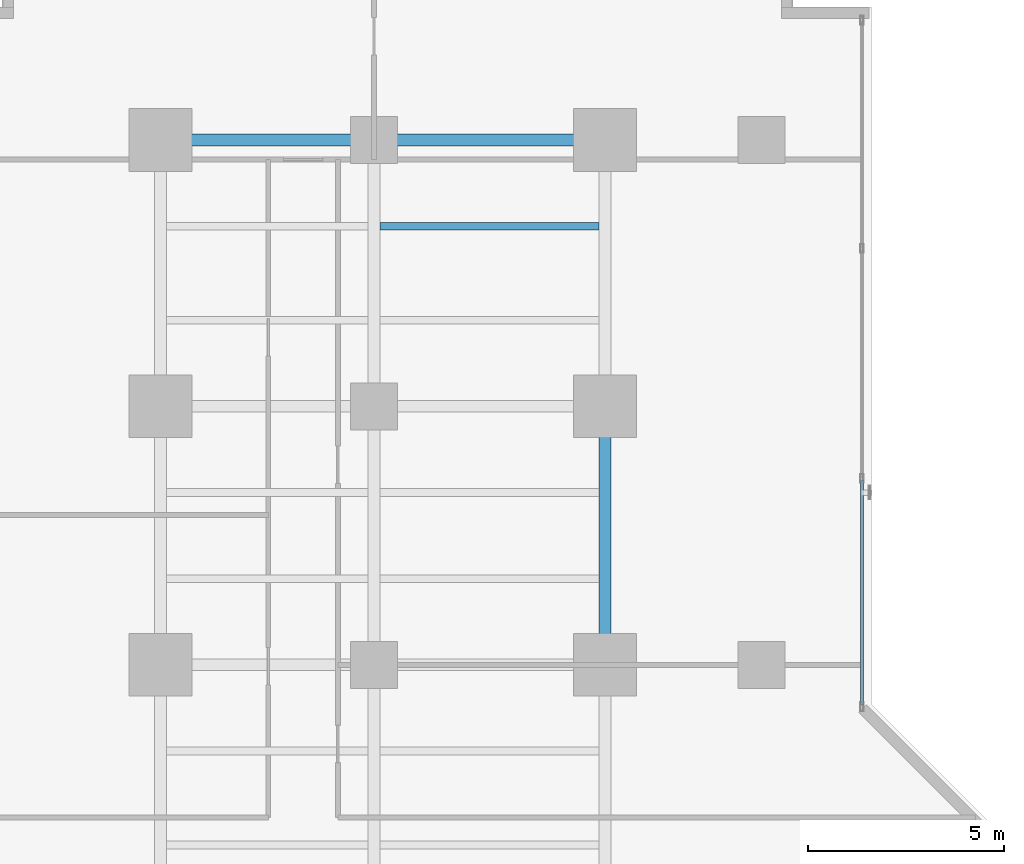
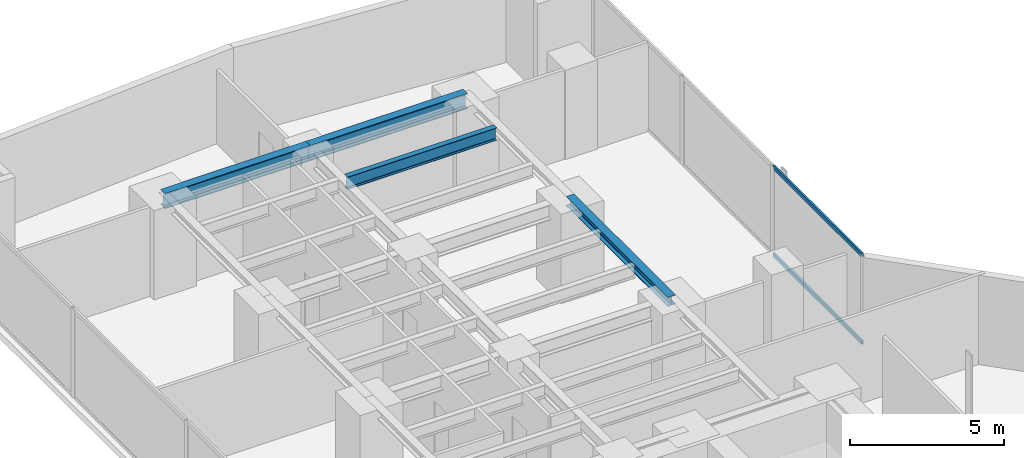
# One storey, part 18 of 29: 4 beams, 2 members, 1 element without a shape of its own.
"""IFC4 building model written with IfcOpenShell, lengths in metres."""

import ifcopenshell
import ifcopenshell.guid

model = None  # the IFC model being written
_history = None  # IfcOwnerHistory: only IFC2X3 demands one
_inside = {}  # id of a spatial element -> (the spatial element, [elements in it])
_under = {}  # id of a project, library or spatial element -> (it, [spatial elements below it])
_declared = {}  # id of a project -> (the project, [libraries it declares])
_typed = {}  # id of a type object -> (the type object, [elements of that type])
_made_of = {}  # id of a material, layer set ... -> (it, [elements and type objects made of it])


def new_model(schema):
    """Start an empty IFC model of exactly this schema.

    Asked for "IFC4X3", IfcOpenShell would pick the latest addendum, in which some entities
    have other attributes; the version numbers below select the first issue.
    IFC2X3 requires an IfcOwnerHistory on every rooted entity: one is made here for all.
    """
    global model, _history
    if schema == "IFC4X3":
        model = ifcopenshell.file(schema_version=(4, 3, 0, 0))
    else:
        model = ifcopenshell.file(schema=schema)
    _inside.clear()
    _under.clear()
    _declared.clear()
    _typed.clear()
    _made_of.clear()
    _history = None
    if model.schema == "IFC2X3":
        org = make("IfcOrganization", Name="unknown")
        user = make(
            "IfcPersonAndOrganization",
            ThePerson=make("IfcPerson", FamilyName="unknown"),
            TheOrganization=org,
        )
        app = make(
            "IfcApplication",
            ApplicationDeveloper=org,
            Version="unknown",
            ApplicationFullName="unknown",
            ApplicationIdentifier="unknown",
        )
        _history = make(
            "IfcOwnerHistory",
            OwningUser=user,
            OwningApplication=app,
            ChangeAction="ADDED",
            CreationDate=0,
        )
    return model


def make(cls, **values):
    """One entity of the class cls with the attributes given. An attribute that is None is left unset."""
    return model.create_entity(
        cls, **{name: value for name, value in values.items() if value is not None}
    )


def rooted(cls, **values):
    """An entity with a GlobalId (a new one), such as an element, a storey or a relation."""
    return make(cls, GlobalId=ifcopenshell.guid.new(), OwnerHistory=_history, **values)


def si_unit(unit_type, name, prefix=None):
    """IfcSIUnit, for example si_unit("LENGTHUNIT", "METRE", prefix="MILLI")."""
    return make("IfcSIUnit", UnitType=unit_type, Prefix=prefix, Name=name)


def assignment(units):
    """IfcUnitAssignment: the units of a project."""
    return None if units is None else make("IfcUnitAssignment", Units=units)


def point(xyz):
    """IfcCartesianPoint."""
    return None if xyz is None else make("IfcCartesianPoint", Coordinates=xyz)


def direction(xyz):
    """IfcDirection."""
    return None if xyz is None else make("IfcDirection", DirectionRatios=xyz)


def frame(location, z_axis=None, x_axis=None):
    """IfcAxis2Placement3D, a coordinate frame: its origin and axes. An axis left out is left unset."""
    return make(
        "IfcAxis2Placement3D",
        Location=point(location),
        Axis=direction(z_axis),
        RefDirection=direction(x_axis),
    )


def frame_2d(location, x_axis=None):
    """IfcAxis2Placement2D, a coordinate frame in the plane: its origin and x axis."""
    return make(
        "IfcAxis2Placement2D", Location=point(location), RefDirection=direction(x_axis)
    )


def origin():
    """The frame at (0, 0, 0) with its axes left unset."""
    return frame((0.0, 0.0, 0.0))


def origin_with_axes():
    """The frame at (0, 0, 0) with the z axis (0, 0, 1) and the x axis (1, 0, 0) written out."""
    return frame((0.0, 0.0, 0.0), z_axis=(0.0, 0.0, 1.0), x_axis=(1.0, 0.0, 0.0))


def origin_2d():
    """The frame at (0, 0) in the plane with its x axis left unset."""
    return frame_2d((0.0, 0.0))


def place(relative_to, where):
    """IfcLocalPlacement: puts the frame where relative to a parent placement (None: the world)."""
    return make(
        "IfcLocalPlacement", PlacementRelTo=relative_to, RelativePlacement=where
    )


def context(
    kind, dimensions, precision=None, world=None, true_north=None, identifier=None
):
    """IfcGeometricRepresentationContext, for example the 3D "Model" context."""
    return make(
        "IfcGeometricRepresentationContext",
        ContextIdentifier=identifier,
        ContextType=kind,
        CoordinateSpaceDimension=dimensions,
        Precision=precision,
        WorldCoordinateSystem=world,
        TrueNorth=true_north,
    )


def subcontext(parent, identifier, kind, view, scale=None):
    """IfcGeometricRepresentationSubContext, for example "Body" below "Model"."""
    return make(
        "IfcGeometricRepresentationSubContext",
        ContextIdentifier=identifier,
        ContextType=kind,
        ParentContext=parent,
        TargetScale=scale,
        TargetView=view,
    )


def project(units=None, contexts=None):
    """IfcProject with its units and contexts."""
    return rooted(
        "IfcProject",
        Name="project",
        RepresentationContexts=contexts,
        UnitsInContext=assignment(units),
    )


def spatial(cls, under=None, at=None, **own):
    """A site, building, storey or space (cls), placed at a placement, below another one or the project."""
    s = rooted(cls, ObjectPlacement=at, **own)
    if under is not None:
        _under.setdefault(under.id(), (under, []))[1].append(s)
    return s


def profile(cls, at=None, kind="AREA", **sizes):
    """A parametric profile (cls). Its sizes go by their IFC names, for example OverallWidth=200.0."""
    return make(cls, ProfileType=kind, Position=at, **sizes)


def hollow_rectangle(**sizes):
    """IfcRectangleHollowProfileDef."""
    return profile("IfcRectangleHollowProfileDef", **sizes)


def i_section(**sizes):
    """IfcIShapeProfileDef."""
    return profile("IfcIShapeProfileDef", **sizes)


def extrude(swept, where, along, depth):
    """IfcExtrudedAreaSolid: the profile swept, set in the frame where, extruded along a direction by depth."""
    return make(
        "IfcExtrudedAreaSolid",
        SweptArea=swept,
        Position=where,
        ExtrudedDirection=direction(along),
        Depth=depth,
    )


def shape(context_of_items, identifier, shape_type, items):
    """IfcShapeRepresentation: the items that make up one representation, for example the "Body"."""
    return make(
        "IfcShapeRepresentation",
        ContextOfItems=context_of_items,
        RepresentationIdentifier=identifier,
        RepresentationType=shape_type,
        Items=items,
    )


def source(mapping_origin, context_of_items, identifier, shape_type, items):
    """IfcRepresentationMap: a shape defined once, which mapped items show again and again."""
    return make(
        "IfcRepresentationMap",
        MappingOrigin=mapping_origin,
        MappedRepresentation=shape(context_of_items, identifier, shape_type, items),
    )


def transform(
    local_origin,
    x_axis=None,
    y_axis=None,
    z_axis=None,
    scale=None,
    scale2=None,
    scale3=None,
    uniform=True,
):
    """IfcCartesianTransformationOperator3D, or its non-uniform kind. x_axis, y_axis, z_axis: its Axis1, 2, 3."""
    if uniform:
        return make(
            "IfcCartesianTransformationOperator3D",
            Axis1=direction(x_axis),
            Axis2=direction(y_axis),
            LocalOrigin=point(local_origin),
            Scale=scale,
            Axis3=direction(z_axis),
        )
    return make(
        "IfcCartesianTransformationOperator3DnonUniform",
        Axis1=direction(x_axis),
        Axis2=direction(y_axis),
        LocalOrigin=point(local_origin),
        Scale=scale,
        Axis3=direction(z_axis),
        Scale2=scale2,
        Scale3=scale3,
    )


def mapped(mapping_source, mapping_target):
    """IfcMappedItem: shows the shape of a source again, moved by a transform."""
    return make(
        "IfcMappedItem", MappingSource=mapping_source, MappingTarget=mapping_target
    )


def material(Name=None, Category=None):
    """IfcMaterial."""
    return make("IfcMaterial", Name=Name, Category=Category)


def layer(
    of_material, thickness, ventilated=None, Name=None, Category=None, Priority=None
):
    """IfcMaterialLayer: one layer of a wall or slab, of a material (None: an air gap)."""
    return make(
        "IfcMaterialLayer",
        Material=of_material,
        LayerThickness=thickness,
        IsVentilated=ventilated,
        Name=Name,
        Category=Category,
        Priority=Priority,
    )


def layer_set(layers, Name=None):
    """IfcMaterialLayerSet."""
    return make("IfcMaterialLayerSet", MaterialLayers=layers, LayerSetName=Name)


def material_profile(
    of_material, cross_section, Name=None, Category=None, Priority=None
):
    """IfcMaterialProfile: a cross section and its material."""
    return make(
        "IfcMaterialProfile",
        Name=Name,
        Material=of_material,
        Profile=cross_section,
        Priority=Priority,
        Category=Category,
    )


def profile_set(profiles, Name=None, composite=None):
    """IfcMaterialProfileSet."""
    return make(
        "IfcMaterialProfileSet",
        Name=Name,
        MaterialProfiles=profiles,
        CompositeProfile=composite,
    )


def made_of(thing, what):
    """Note that an element or type object is made of a material, layer set ...; save() writes the relation."""
    if what is not None:
        _made_of.setdefault(what.id(), (what, []))[1].append(thing)
    return thing


def type_object(cls, material=None, **own):
    """A type object (cls), such as IfcWallType, which elements share."""
    return made_of(rooted(cls, **own), material)


def element(
    cls,
    number,
    at=None,
    inside=None,
    cuts=None,
    type_object=None,
    material=None,
    context=None,
    identifier="Body",
    shape_type=None,
    held_by="IfcProductDefinitionShape",
    body=None,
    shapes=None,
    **own,
):
    """One element of the class cls, such as IfcWall. Its Tag is "e" and its number.

    at: its placement. inside: the storey or other place that contains it. cuts: it is an
    opening in that element (IfcRelVoidsElement). A single representation is given by context,
    identifier, shape_type and body (its items); several are given by shapes. held_by: the class
    of the entity that holds the representations. save() writes the other relations.
    """
    e = rooted(cls, Tag="e%d" % number, ObjectPlacement=at, **own)
    if body is not None:
        shapes = [shape(context, identifier, shape_type, body)]
    if shapes is not None:
        e.Representation = make(held_by, Representations=shapes)
    if inside is not None:
        _inside.setdefault(inside.id(), (inside, []))[1].append(e)
    if cuts is not None:
        rooted(
            "IfcRelVoidsElement", RelatingBuildingElement=cuts, RelatedOpeningElement=e
        )
    if type_object is not None:
        _typed.setdefault(type_object.id(), (type_object, []))[1].append(e)
    return made_of(e, material)


def aggregate(whole, parts):
    """IfcRelAggregates: a whole, such as a stair, and the parts it consists of."""
    return rooted("IfcRelAggregates", RelatingObject=whole, RelatedObjects=parts)


def save(model, path):
    """Write the relations noted so far, then the file.

    IfcRelAggregates (storeys below a building ...), IfcRelContainedInSpatialStructure (elements
    in a storey), IfcRelDefinesByType, IfcRelAssociatesMaterial and IfcRelDeclares: one each for
    every whole, place, type object, material and project.
    """
    for whole, parts in _under.values():
        aggregate(whole, parts)
    for where, things in _inside.values():
        rooted(
            "IfcRelContainedInSpatialStructure",
            RelatedElements=things,
            RelatingStructure=where,
        )
    for kind, things in _typed.values():
        rooted("IfcRelDefinesByType", RelatedObjects=things, RelatingType=kind)
    for what, things in _made_of.values():
        rooted("IfcRelAssociatesMaterial", RelatedObjects=things, RelatingMaterial=what)
    for by, libraries in _declared.values():
        rooted("IfcRelDeclares", RelatingContext=by, RelatedDefinitions=libraries)
    model.write(path)


model = new_model("IFC4")

# Units and contexts
model_context = context("Model", 3, precision=1e-05, world=origin(), true_north=direction((0.0, 1.0)))
body_context = subcontext(model_context, "Body", "Model", "MODEL_VIEW")
ifc_project = project(units=[si_unit("LENGTHUNIT", "METRE"), si_unit("AREAUNIT", "SQUARE_METRE"), si_unit("VOLUMEUNIT", "CUBIC_METRE"), si_unit("PLANEANGLEUNIT", "RADIAN"), si_unit("MASSUNIT", "GRAM", prefix="KILO")], contexts=[model_context])

# Site, building, storey
site_placement = place(None, origin())
site = spatial("IfcSite", under=ifc_project, at=site_placement, CompositionType="ELEMENT")
building_placement = place(site_placement, origin())
building = spatial("IfcBuilding", under=site, at=building_placement, Name="Kolvaren Waterfront Exchange", CompositionType="ELEMENT")
storey_placement = place(building_placement, frame((0.0, 0.0, 37.199951171875)))
storey = spatial("IfcBuildingStorey", under=building, at=storey_placement, Name="L09", CompositionType="ELEMENT", Elevation=37.199951171875)

# Beams
ifc_material_1 = material(Name="Steel S355", Category="steel")
ifc_material_profile_1 = material_profile(ifc_material_1, i_section(OverallWidth=0.300048828125, OverallDepth=0.360107421875, WebThickness=0.012451171875, FlangeThickness=0.0224609375, FilletRadius=0.027099609375, at=origin_2d()), Name="HEB360")
ifc_profile_set_1 = profile_set([ifc_material_profile_1], Name="Steel S355")
beam_type_1 = type_object("IfcBeamType", Name="STR-BM-HEB360", PredefinedType="SPANDREL", material=ifc_profile_set_1)
beam_1_placement = place(storey_placement, frame((18.800048828125, 31.199951171875, 3.360107421875), z_axis=(0.0, 1.0, 0.0), x_axis=(-1.0, 0.0, 0.0)))
element("IfcBeam", 1, at=beam_1_placement, inside=storey, type_object=beam_type_1, Name="L09 north-arm edge beam 2", PredefinedType="SPANDREL", context=body_context, shape_type="SweptSolid", body=[
    extrude(i_section(OverallWidth=0.300048828125, OverallDepth=0.360107421875, WebThickness=0.012451171875, FlangeThickness=0.0224609375, FilletRadius=0.027099609375, at=origin_2d()), origin(), (0.0, 0.0, 1.0), 6.60009765625),
])
ifc_material_profile_2 = material_profile(ifc_material_1, i_section(OverallWidth=0.300048828125, OverallDepth=0.60009765625, WebThickness=0.015380859375, FlangeThickness=0.030029296875, FilletRadius=0.027099609375, at=origin_2d()), Name="HEB600")
ifc_profile_set_2 = profile_set([ifc_material_profile_2], Name="Steel S355")
beam_type_2 = type_object("IfcBeamType", Name="STR-BM-HEB600", PredefinedType="BEAM", material=ifc_profile_set_2)
beam_2_placement = place(storey_placement, frame((7.449951171875, 44.60009765625, 3.239990234375), z_axis=(1.0, 0.0, 0.0), x_axis=(0.0, 1.0, 0.0)))
element("IfcBeam", 2, at=beam_2_placement, inside=storey, type_object=beam_type_2, Name="L09 north-arm girder 4A", PredefinedType="BEAM", context=body_context, shape_type="SweptSolid", body=[
    extrude(i_section(OverallWidth=0.300048828125, OverallDepth=0.60009765625, WebThickness=0.015380859375, FlangeThickness=0.030029296875, FilletRadius=0.027099609375, at=origin_2d()), origin(), (0.0, 0.0, 1.0), 5.449951171875),
])
beam_3_placement = place(storey_placement, frame((12.89990234375, 44.60009765625, 3.239990234375), z_axis=(1.0, 0.0, 0.0), x_axis=(0.0, 1.0, 0.0)))
element("IfcBeam", 3, at=beam_3_placement, inside=storey, type_object=beam_type_2, Name="L09 north-arm girder 4B", PredefinedType="BEAM", context=body_context, shape_type="SweptSolid", body=[
    extrude(i_section(OverallWidth=0.300048828125, OverallDepth=0.60009765625, WebThickness=0.015380859375, FlangeThickness=0.030029296875, FilletRadius=0.027099609375, at=origin_2d()), origin(), (0.0, 0.0, 1.0), 5.900146484375),
])
ifc_material_profile_3 = material_profile(ifc_material_1, i_section(OverallWidth=0.199951171875, OverallDepth=0.5, WebThickness=0.01025390625, FlangeThickness=0.01611328125, FilletRadius=0.02099609375, at=origin_2d()), Name="IPE500")
ifc_profile_set_3 = profile_set([ifc_material_profile_3], Name="Steel S355")
beam_type_3 = type_object("IfcBeamType", Name="STR-BM-IPE500", PredefinedType="JOIST", material=ifc_profile_set_3)
beam_4_placement = place(storey_placement, frame((13.052001953125, 42.39990234375, 3.2900390625), z_axis=(1.0, 0.0, 0.0), x_axis=(0.0, 1.0, 0.0)))
element("IfcBeam", 4, at=beam_4_placement, inside=storey, type_object=beam_type_3, Name="L09 north-arm composite joist 6B", PredefinedType="JOIST", context=body_context, shape_type="SweptSolid", body=[
    extrude(i_section(OverallWidth=0.199951171875, OverallDepth=0.5, WebThickness=0.01025390625, FlangeThickness=0.01611328125, FilletRadius=0.02099609375, at=origin_2d()), origin(), (0.0, 0.0, 1.0), 5.595947265625),
])

# Curtain wall, members
ifc_material_2 = material(Name="Anodised bronze aluminium 6063-T6", Category="aluminium")
ifc_layer = layer(ifc_material_2, 0.219970703125, Name="Anodised bronze aluminium 6063-T6")
ifc_layer_set = layer_set([ifc_layer], Name="Anodised bronze aluminium 6063-T6")
curtain_wall_type = type_object("IfcCurtainWallType", Name="ARC-CW-SYS1", PredefinedType="USERDEFINED", material=ifc_layer_set)
curtain_wall_placement = place(storey_placement, origin())
curtain_wall = element("IfcCurtainWall", 5, at=curtain_wall_placement, inside=storey, type_object=curtain_wall_type, Name="L09 stick curtain wall CW1 (CW-L09-NE)", ObjectType="STICK CURTAIN WALL", PredefinedType="USERDEFINED")
ifc_material_3 = material(Name="Anodised aluminium 6063-T6", Category="aluminium")
ifc_material_profile_4 = material_profile(ifc_material_3, hollow_rectangle(XDim=0.074951171875, YDim=0.159912109375, WallThickness=0.00439453125, at=origin_2d()), Name="ALU-TRN-160x75x4.5")
ifc_profile_set_4 = profile_set([ifc_material_profile_4], Name="Anodised aluminium 6063-T6")
member_type = type_object("IfcMemberType", Name="ARC-CWT-160", PredefinedType="USERDEFINED", material=ifc_profile_set_4)
shared_shape = source(origin_with_axes(), body_context, "Body", "SweptSolid", [
    extrude(hollow_rectangle(XDim=0.074951171875, YDim=0.159912109375, WallThickness=0.00439453125, at=origin_2d()), origin(), (0.0, 0.0, 1.0), 5.75),
])
member_1_placement = place(storey_placement, frame((25.360107421875, 30.169921875, 0.03759765625), z_axis=(0.0, 1.0, 0.0), x_axis=(-1.0, 0.0, 0.0)))
member_1 = element("IfcMember", 6, at=member_1_placement, type_object=member_type, Name="CW1 transom 1.1", ObjectType="TRANSOM", PredefinedType="USERDEFINED", context=body_context, shape_type="MappedRepresentation", body=[
    mapped(shared_shape, transform((0.0, 0.0, 0.0), x_axis=(1.0, 0.0, 0.0), y_axis=(0.0, 1.0, 0.0), z_axis=(0.0, 0.0, 1.0), scale=1.0)),
])
member_2_placement = place(storey_placement, frame((25.360107421875, 30.169921875, 3.50244140625), z_axis=(0.0, 1.0, 0.0), x_axis=(-1.0, 0.0, 0.0)))
member_2 = element("IfcMember", 7, at=member_2_placement, type_object=member_type, Name="CW1 transom 1.2", ObjectType="TRANSOM", PredefinedType="USERDEFINED", context=body_context, shape_type="MappedRepresentation", body=[
    mapped(shared_shape, transform((0.0, 0.0, 0.0), x_axis=(1.0, 0.0, 0.0), y_axis=(0.0, 1.0, 0.0), z_axis=(0.0, 0.0, 1.0), scale=1.0)),
])
aggregate(curtain_wall, [member_1, member_2])

save(model, "model.ifc")
